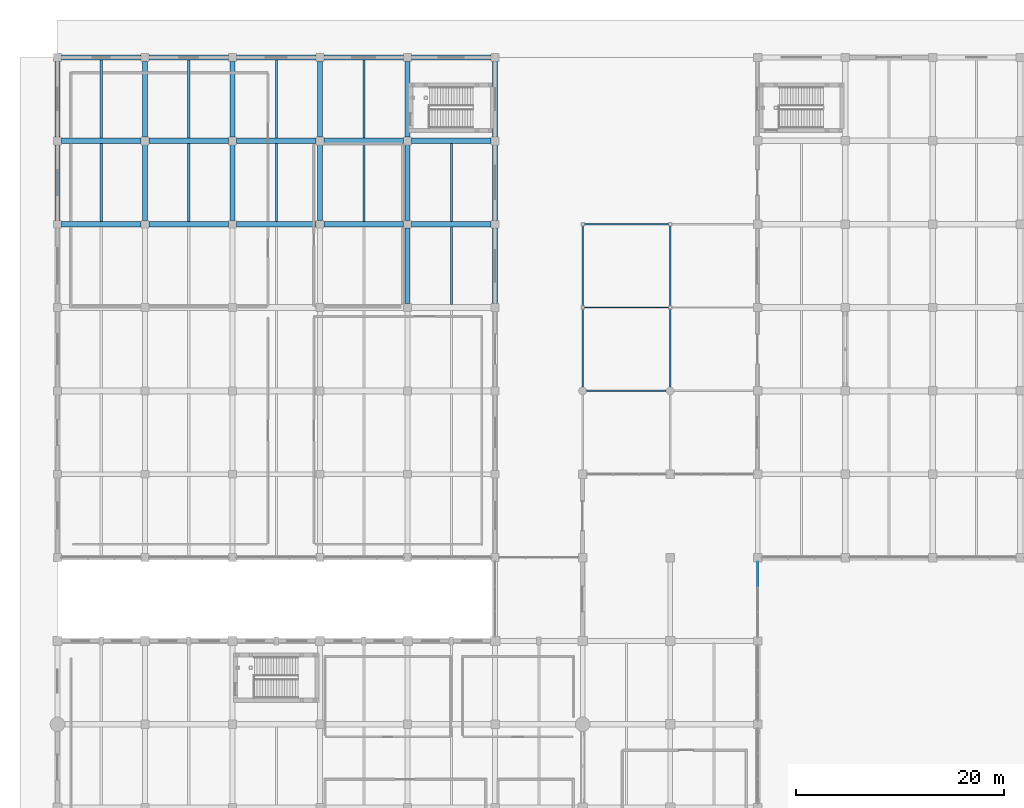
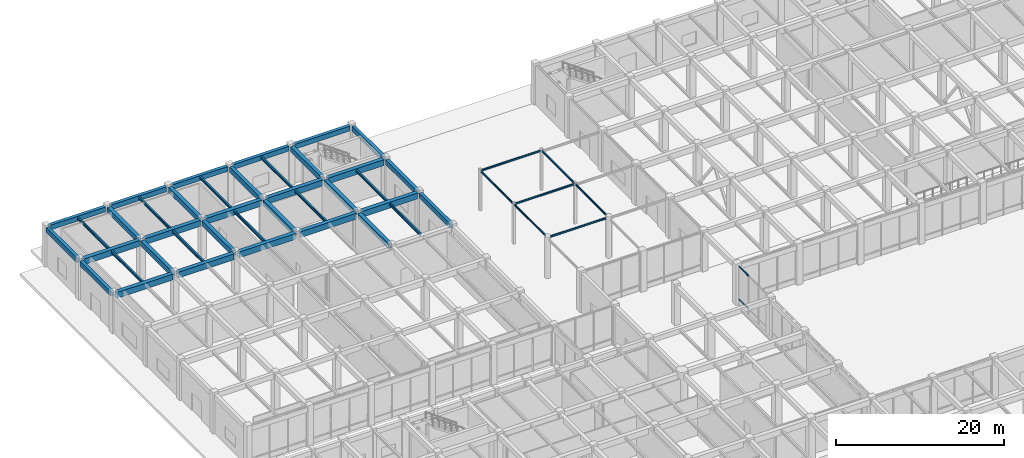
# One storey, part 31 of 76: 46 beams, 2 members, 1 element without a shape of its own.
"""IFC4 building model written with IfcOpenShell, lengths in metres."""

from ifc_helpers import new_model, si_unit, direction, frame, origin, origin_2d, place, context, subcontext, project, spatial, rectangle, i_section, extrude, material, layer, layer_set, material_profile, profile_set, type_object, element, aggregate, save


model = new_model("IFC4")

# Units and contexts
model_context = context("Model", 3, precision=1e-05, world=origin(), true_north=direction((0.0, 1.0)))
body_context = subcontext(model_context, "Body", "Model", "MODEL_VIEW")
ifc_project = project(units=[si_unit("LENGTHUNIT", "METRE"), si_unit("AREAUNIT", "SQUARE_METRE"), si_unit("VOLUMEUNIT", "CUBIC_METRE"), si_unit("PLANEANGLEUNIT", "RADIAN"), si_unit("MASSUNIT", "GRAM", prefix="KILO")], contexts=[model_context])

# Site, building, storey
site_placement = place(None, origin())
site = spatial("IfcSite", under=ifc_project, at=site_placement, CompositionType="ELEMENT")
building_placement = place(site_placement, origin())
building = spatial("IfcBuilding", under=site, at=building_placement, Name="Naruveol Harbour Congress Hotel", CompositionType="ELEMENT")
storey_placement = place(building_placement, origin())
storey = spatial("IfcBuildingStorey", under=building, at=storey_placement, Name="L00", CompositionType="ELEMENT", Elevation=0.0)

# Beams
ifc_material_1 = material(Name="Concrete C40/50", Category="concrete")
ifc_material_profile_1 = material_profile(ifc_material_1, rectangle(XDim=0.5, YDim=0.75, at=origin_2d()), Name="RCB-500x750")
ifc_profile_set_1 = profile_set([ifc_material_profile_1], Name="Concrete C40/50")
beam_type_1 = type_object("IfcBeamType", Name="RC FLOOR GIRDER 500X750", PredefinedType="BEAM", material=ifc_profile_set_1)
for number, where, z_axis, x_axis, name in (
    (1, (8.39990234375, 96.37109375, 5.324951171875), (0.0, 1.0, 0.0), (-1.0, 0.0, 0.0), "Transverse girder L01 CB3"),
    (2, (8.39990234375, 104.37109375, 5.324951171875), (0.0, 1.0, 0.0), (-1.0, 0.0, 0.0), "Transverse girder L01 CB3"),
    (3, (16.800048828125, 96.37109375, 5.324951171875), (0.0, 1.0, 0.0), (-1.0, 0.0, 0.0), "Transverse girder L01 CB3"),
    (4, (16.800048828125, 104.37109375, 5.324951171875), (0.0, 1.0, 0.0), (-1.0, 0.0, 0.0), "Transverse girder L01 CB3"),
    (5, (25.199951171875, 96.37109375, 5.324951171875), (0.0, 1.0, 0.0), (-1.0, 0.0, 0.0), "Transverse girder L01 CB3"),
    (6, (25.199951171875, 104.37109375, 5.324951171875), (0.0, 1.0, 0.0), (-1.0, 0.0, 0.0), "Transverse girder L01 CB3"),
    (7, (33.60009765625, 88.37109375, 5.324951171875), (0.0, 1.0, 0.0), (-1.0, 0.0, 0.0), "Transverse girder L01 CB3"),
    (8, (33.60009765625, 96.37109375, 5.324951171875), (0.0, 1.0, 0.0), (-1.0, 0.0, 0.0), "Transverse girder L01 CB3"),
    (9, (33.60009765625, 104.37109375, 5.324951171875), (0.0, 1.0, 0.0), (-1.0, 0.0, 0.0), "Transverse girder L01 CB3"),
):
    element("IfcBeam", number, at=place(storey_placement, frame(where, z_axis=z_axis, x_axis=x_axis)), inside=storey, type_object=beam_type_1, Name=name, PredefinedType="BEAM", context=body_context, shape_type="SweptSolid", body=[
        extrude(rectangle(XDim=0.5, YDim=0.75, at=origin_2d()), origin(), (0.0, 0.0, 1.0), 7.2578125),
    ])
ifc_material_2 = material(Name="Concrete C40/50", Category="concrete")
ifc_material_profile_2 = material_profile(ifc_material_2, rectangle(XDim=0.550048828125, YDim=0.85009765625, at=origin_2d()), Name="RCB-550x850")
ifc_profile_set_2 = profile_set([ifc_material_profile_2], Name="Concrete C40/50")
beam_type_2 = type_object("IfcBeamType", Name="RC PRIMARY GIRDER 550X850", PredefinedType="BEAM", material=ifc_profile_set_2)
for number, where, z_axis, x_axis, name in (
    (10, (0.37109375, 96.0, 5.27490234375), (1.0, 0.0, 0.0), (0.0, 1.0, 0.0), "Floor girder L01 CB2"),
    (11, (8.77099609375, 96.0, 5.27490234375), (1.0, 0.0, 0.0), (0.0, 1.0, 0.0), "Floor girder L01 CB2"),
):
    element("IfcBeam", number, at=place(storey_placement, frame(where, z_axis=z_axis, x_axis=x_axis)), inside=storey, type_object=beam_type_2, Name=name, PredefinedType="BEAM", context=body_context, shape_type="SweptSolid", body=[
        extrude(rectangle(XDim=0.550048828125, YDim=0.85009765625, at=origin_2d()), origin(), (0.0, 0.0, 1.0), 7.657958984375),
    ])
beam_1_placement = place(storey_placement, frame((17.1708984375, 96.0, 5.27490234375), z_axis=(1.0, 0.0, 0.0), x_axis=(0.0, 1.0, 0.0)))
element("IfcBeam", 12, at=beam_1_placement, inside=storey, type_object=beam_type_2, Name="Floor girder L01 CB2", PredefinedType="BEAM", context=body_context, shape_type="SweptSolid", body=[
    extrude(rectangle(XDim=0.550048828125, YDim=0.85009765625, at=origin_2d()), origin(), (0.0, 0.0, 1.0), 7.658203125),
])
for number, where, z_axis, x_axis, name in (
    (13, (25.571044921875, 96.0, 5.27490234375), (1.0, 0.0, 0.0), (0.0, 1.0, 0.0), "Floor girder L01 CB2"),
    (14, (33.970947265625, 96.0, 5.27490234375), (1.0, 0.0, 0.0), (0.0, 1.0, 0.0), "Floor girder L01 CB2"),
    (15, (0.37109375, 104.0, 5.27490234375), (1.0, 0.0, 0.0), (0.0, 1.0, 0.0), "Floor girder L01 CB2"),
    (16, (8.77099609375, 104.0, 5.27490234375), (1.0, 0.0, 0.0), (0.0, 1.0, 0.0), "Floor girder L01 CB2"),
):
    element("IfcBeam", number, at=place(storey_placement, frame(where, z_axis=z_axis, x_axis=x_axis)), inside=storey, type_object=beam_type_2, Name=name, PredefinedType="BEAM", context=body_context, shape_type="SweptSolid", body=[
        extrude(rectangle(XDim=0.550048828125, YDim=0.85009765625, at=origin_2d()), origin(), (0.0, 0.0, 1.0), 7.657958984375),
    ])
beam_2_placement = place(storey_placement, frame((17.1708984375, 104.0, 5.27490234375), z_axis=(1.0, 0.0, 0.0), x_axis=(0.0, 1.0, 0.0)))
element("IfcBeam", 17, at=beam_2_placement, inside=storey, type_object=beam_type_2, Name="Floor girder L01 CB2", PredefinedType="BEAM", context=body_context, shape_type="SweptSolid", body=[
    extrude(rectangle(XDim=0.550048828125, YDim=0.85009765625, at=origin_2d()), origin(), (0.0, 0.0, 1.0), 7.658203125),
])
for number, where, z_axis, x_axis, name in (
    (18, (25.571044921875, 104.0, 5.27490234375), (1.0, 0.0, 0.0), (0.0, 1.0, 0.0), "Floor girder L01 CB2"),
    (19, (33.970947265625, 104.0, 5.27490234375), (1.0, 0.0, 0.0), (0.0, 1.0, 0.0), "Floor girder L01 CB2"),
):
    element("IfcBeam", number, at=place(storey_placement, frame(where, z_axis=z_axis, x_axis=x_axis)), inside=storey, type_object=beam_type_2, Name=name, PredefinedType="BEAM", context=body_context, shape_type="SweptSolid", body=[
        extrude(rectangle(XDim=0.550048828125, YDim=0.85009765625, at=origin_2d()), origin(), (0.0, 0.0, 1.0), 7.657958984375),
    ])
ifc_material_3 = material(Name="Concrete C40/50", Category="concrete")
ifc_material_profile_3 = material_profile(ifc_material_3, rectangle(XDim=0.449951171875, YDim=0.699951171875, at=origin_2d()), Name="RCB-450x700")
ifc_profile_set_3 = profile_set([ifc_material_profile_3], Name="Concrete C40/50")
beam_type_3 = type_object("IfcBeamType", Name="RC SPANDREL BEAM 450X700", PredefinedType="SPANDREL", material=ifc_profile_set_3)
for number, where, z_axis, x_axis, name in (
    (20, (0.37109375, 112.0, 5.35009765625), (1.0, 0.0, 0.0), (0.0, 1.0, 0.0), "Floor girder L01 SPB1"),
    (21, (8.77099609375, 112.0, 5.35009765625), (1.0, 0.0, 0.0), (0.0, 1.0, 0.0), "Floor girder L01 SPB1"),
):
    element("IfcBeam", number, at=place(storey_placement, frame(where, z_axis=z_axis, x_axis=x_axis)), inside=storey, type_object=beam_type_3, Name=name, PredefinedType="SPANDREL", context=body_context, shape_type="SweptSolid", body=[
        extrude(rectangle(XDim=0.449951171875, YDim=0.699951171875, at=origin_2d()), origin(), (0.0, 0.0, 1.0), 7.657958984375),
    ])
beam_3_placement = place(storey_placement, frame((17.1708984375, 112.0, 5.35009765625), z_axis=(1.0, 0.0, 0.0), x_axis=(0.0, 1.0, 0.0)))
element("IfcBeam", 22, at=beam_3_placement, inside=storey, type_object=beam_type_3, Name="Floor girder L01 SPB1", PredefinedType="SPANDREL", context=body_context, shape_type="SweptSolid", body=[
    extrude(rectangle(XDim=0.449951171875, YDim=0.699951171875, at=origin_2d()), origin(), (0.0, 0.0, 1.0), 7.658203125),
])
for number, where, z_axis, x_axis, name in (
    (23, (25.571044921875, 112.0, 5.35009765625), (1.0, 0.0, 0.0), (0.0, 1.0, 0.0), "Floor girder L01 SPB1"),
    (24, (33.970947265625, 112.0, 5.35009765625), (1.0, 0.0, 0.0), (0.0, 1.0, 0.0), "Floor girder L01 SPB1"),
):
    element("IfcBeam", number, at=place(storey_placement, frame(where, z_axis=z_axis, x_axis=x_axis)), inside=storey, type_object=beam_type_3, Name=name, PredefinedType="SPANDREL", context=body_context, shape_type="SweptSolid", body=[
        extrude(rectangle(XDim=0.449951171875, YDim=0.699951171875, at=origin_2d()), origin(), (0.0, 0.0, 1.0), 7.657958984375),
    ])
for number, where, z_axis, x_axis, name in (
    (25, (0.0, 96.37109375, 5.35009765625), (0.0, 1.0, 0.0), (-1.0, 0.0, 0.0), "Transverse girder L01 SPB1"),
    (26, (0.0, 104.37109375, 5.35009765625), (0.0, 1.0, 0.0), (-1.0, 0.0, 0.0), "Transverse girder L01 SPB1"),
    (27, (42.0, 88.37109375, 5.35009765625), (0.0, 1.0, 0.0), (-1.0, 0.0, 0.0), "Transverse girder L01 SPB1"),
    (28, (42.0, 96.37109375, 5.35009765625), (0.0, 1.0, 0.0), (-1.0, 0.0, 0.0), "Transverse girder L01 SPB1"),
    (29, (42.0, 104.37109375, 5.35009765625), (0.0, 1.0, 0.0), (-1.0, 0.0, 0.0), "Transverse girder L01 SPB1"),
):
    element("IfcBeam", number, at=place(storey_placement, frame(where, z_axis=z_axis, x_axis=x_axis)), inside=storey, type_object=beam_type_3, Name=name, PredefinedType="SPANDREL", context=body_context, shape_type="SweptSolid", body=[
        extrude(rectangle(XDim=0.449951171875, YDim=0.699951171875, at=origin_2d()), origin(), (0.0, 0.0, 1.0), 7.2578125),
    ])
ifc_material_4 = material(Name="Steel SN490", Category="steel")
ifc_material_profile_4 = material_profile(ifc_material_4, i_section(OverallWidth=0.125, OverallDepth=0.25, WebThickness=0.006103515625, FlangeThickness=0.009033203125, at=origin_2d()), Name="H-250x125x6x9")
ifc_profile_set_4 = profile_set([ifc_material_profile_4], Name="Steel SN490")
beam_type_4 = type_object("IfcBeamType", Name="STEEL CANOPY EDGE BEAM H250", PredefinedType="BEAM", material=ifc_profile_set_4)
beam_4_placement = place(storey_placement, frame((50.77099609375, 80.0, 5.715087890625), z_axis=(1.0, 0.0, 0.0), x_axis=(0.0, 1.0, 0.0)))
element("IfcBeam", 30, at=beam_4_placement, inside=storey, type_object=beam_type_4, Name="Floor girder L01 SB3", PredefinedType="BEAM", context=body_context, shape_type="SweptSolid", body=[
    extrude(i_section(OverallWidth=0.125, OverallDepth=0.25, WebThickness=0.006103515625, FlangeThickness=0.009033203125, at=origin_2d()), origin(), (0.0, 0.0, 1.0), 7.657958984375),
])
for number, where, z_axis, x_axis, name in (
    (31, (50.5458984375, 88.0, 5.715087890625), (1.0, 0.0, 0.0), (0.0, 1.0, 0.0), "Floor girder L01 SB3"),
    (32, (50.5458984375, 96.0, 5.715087890625), (1.0, 0.0, 0.0), (0.0, 1.0, 0.0), "Floor girder L01 SB3"),
):
    element("IfcBeam", number, at=place(storey_placement, frame(where, z_axis=z_axis, x_axis=x_axis)), inside=storey, type_object=beam_type_4, Name=name, PredefinedType="BEAM", context=body_context, shape_type="SweptSolid", body=[
        extrude(i_section(OverallWidth=0.125, OverallDepth=0.25, WebThickness=0.006103515625, FlangeThickness=0.009033203125, at=origin_2d()), origin(), (0.0, 0.0, 1.0), 8.108154296875),
    ])
beam_5_placement = place(storey_placement, frame((50.39990234375, 80.37109375, 5.715087890625), z_axis=(0.0, 1.0, 0.0), x_axis=(-1.0, 0.0, 0.0)))
element("IfcBeam", 33, at=beam_5_placement, inside=storey, type_object=beam_type_4, Name="Transverse girder L01 SB3", PredefinedType="BEAM", context=body_context, shape_type="SweptSolid", body=[
    extrude(i_section(OverallWidth=0.125, OverallDepth=0.25, WebThickness=0.006103515625, FlangeThickness=0.009033203125, at=origin_2d()), origin(), (0.0, 0.0, 1.0), 7.48291015625),
])
beam_6_placement = place(storey_placement, frame((50.39990234375, 88.14599609375, 5.715087890625), z_axis=(0.0, 1.0, 0.0), x_axis=(-1.0, 0.0, 0.0)))
element("IfcBeam", 34, at=beam_6_placement, inside=storey, type_object=beam_type_4, Name="Transverse girder L01 SB3", PredefinedType="BEAM", context=body_context, shape_type="SweptSolid", body=[
    extrude(i_section(OverallWidth=0.125, OverallDepth=0.25, WebThickness=0.006103515625, FlangeThickness=0.009033203125, at=origin_2d()), origin(), (0.0, 0.0, 1.0), 7.7080078125),
])
beam_7_placement = place(storey_placement, frame((58.800048828125, 80.37109375, 5.715087890625), z_axis=(0.0, 1.0, 0.0), x_axis=(-1.0, 0.0, 0.0)))
element("IfcBeam", 35, at=beam_7_placement, inside=storey, type_object=beam_type_4, Name="Transverse girder L01 SB3", PredefinedType="BEAM", context=body_context, shape_type="SweptSolid", body=[
    extrude(i_section(OverallWidth=0.125, OverallDepth=0.25, WebThickness=0.006103515625, FlangeThickness=0.009033203125, at=origin_2d()), origin(), (0.0, 0.0, 1.0), 7.48291015625),
])
beam_8_placement = place(storey_placement, frame((58.800048828125, 88.14599609375, 5.715087890625), z_axis=(0.0, 1.0, 0.0), x_axis=(-1.0, 0.0, 0.0)))
element("IfcBeam", 36, at=beam_8_placement, inside=storey, type_object=beam_type_4, Name="Transverse girder L01 SB3", PredefinedType="BEAM", context=body_context, shape_type="SweptSolid", body=[
    extrude(i_section(OverallWidth=0.125, OverallDepth=0.25, WebThickness=0.006103515625, FlangeThickness=0.009033203125, at=origin_2d()), origin(), (0.0, 0.0, 1.0), 7.7080078125),
])
ifc_material_5 = material(Name="Steel SN490", Category="steel")
ifc_material_profile_5 = material_profile(ifc_material_5, i_section(OverallWidth=0.199951171875, OverallDepth=0.39990234375, WebThickness=0.008056640625, FlangeThickness=0.012939453125, at=origin_2d()), Name="H-400x200x8x13")
ifc_profile_set_5 = profile_set([ifc_material_profile_5], Name="Steel SN490")
beam_type_5 = type_object("IfcBeamType", Name="STEEL SECONDARY JOIST H400", PredefinedType="JOIST", material=ifc_profile_set_5)
for number, where, z_axis, x_axis, name in (
    (37, (37.800048828125, 88.27099609375, 5.5), (0.0, 1.0, 0.0), (-1.0, 0.0, 0.0), "Secondary floor joist L01 SJ1"),
    (38, (4.199951171875, 96.27099609375, 5.5), (0.0, 1.0, 0.0), (-1.0, 0.0, 0.0), "Secondary floor joist L01 SJ1"),
    (39, (12.60009765625, 96.27099609375, 5.5), (0.0, 1.0, 0.0), (-1.0, 0.0, 0.0), "Secondary floor joist L01 SJ1"),
    (40, (21.0, 96.27099609375, 5.5), (0.0, 1.0, 0.0), (-1.0, 0.0, 0.0), "Secondary floor joist L01 SJ1"),
    (41, (29.39990234375, 96.27099609375, 5.5), (0.0, 1.0, 0.0), (-1.0, 0.0, 0.0), "Secondary floor joist L01 SJ1"),
    (42, (37.800048828125, 96.27099609375, 5.5), (0.0, 1.0, 0.0), (-1.0, 0.0, 0.0), "Secondary floor joist L01 SJ1"),
):
    element("IfcBeam", number, at=place(storey_placement, frame(where, z_axis=z_axis, x_axis=x_axis)), inside=storey, type_object=beam_type_5, Name=name, PredefinedType="JOIST", context=body_context, shape_type="SweptSolid", body=[
        extrude(i_section(OverallWidth=0.199951171875, OverallDepth=0.39990234375, WebThickness=0.008056640625, FlangeThickness=0.012939453125, at=origin_2d()), origin(), (0.0, 0.0, 1.0), 7.4580078125),
    ])
for number, where, z_axis, x_axis, name in (
    (43, (4.199951171875, 104.27099609375, 5.5), (0.0, 1.0, 0.0), (-1.0, 0.0, 0.0), "Secondary floor joist L01 SJ1"),
    (44, (12.60009765625, 104.27099609375, 5.5), (0.0, 1.0, 0.0), (-1.0, 0.0, 0.0), "Secondary floor joist L01 SJ1"),
    (45, (21.0, 104.27099609375, 5.5), (0.0, 1.0, 0.0), (-1.0, 0.0, 0.0), "Secondary floor joist L01 SJ1"),
    (46, (29.39990234375, 104.27099609375, 5.5), (0.0, 1.0, 0.0), (-1.0, 0.0, 0.0), "Secondary floor joist L01 SJ1"),
):
    element("IfcBeam", number, at=place(storey_placement, frame(where, z_axis=z_axis, x_axis=x_axis)), inside=storey, type_object=beam_type_5, Name=name, PredefinedType="JOIST", context=body_context, shape_type="SweptSolid", body=[
        extrude(i_section(OverallWidth=0.199951171875, OverallDepth=0.39990234375, WebThickness=0.008056640625, FlangeThickness=0.012939453125, at=origin_2d()), origin(), (0.0, 0.0, 1.0), 7.508056640625),
    ])

# Curtain wall, members
ifc_material_6 = material(Name="Low-E Curtain Wall System", Category="glass")
ifc_layer = layer(ifc_material_6, 0.179931640625)
ifc_layer_set = layer_set([ifc_layer], Name="Low-E Curtain Wall System")
curtain_wall_type = type_object("IfcCurtainWallType", Name="UNITISED CURTAIN WALL CW-CTW-28 7200X5700", PredefinedType="USERDEFINED", material=ifc_layer_set)
curtain_wall_placement = place(storey_placement, origin())
curtain_wall = element("IfcCurtainWall", 47, at=curtain_wall_placement, inside=storey, type_object=curtain_wall_type, Name="Unitised curtain wall CW-CTW-28 L00", ObjectType="UNITISED GLAZING", PredefinedType="USERDEFINED")
ifc_material_7 = material(Name="Anodised Aluminium 6063-T6", Category="aluminium")
ifc_material_profile_6 = material_profile(ifc_material_7, rectangle(XDim=0.074951171875, YDim=0.14990234375, at=origin_2d()), Name="ALU-75x150")
ifc_profile_set_6 = profile_set([ifc_material_profile_6], Name="Anodised Aluminium 6063-T6")
member_type = type_object("IfcMemberType", Name="THERMAL ALUMINIUM TRANSOM 75X150", PredefinedType="USERDEFINED", material=ifc_profile_set_6)
member_1_placement = place(storey_placement, frame((67.199951171875, 61.239990234375, 0.85009765625), z_axis=(0.0, 1.0, 0.0), x_axis=(-1.0, 0.0, 0.0)))
member_1 = element("IfcMember", 48, at=member_1_placement, type_object=member_type, Name="Curtain wall transom CW-L00-0069-T2.1", ObjectType="TRANSOM", PredefinedType="USERDEFINED", context=body_context, shape_type="SweptSolid", body=[
    extrude(rectangle(XDim=0.074951171875, YDim=0.14990234375, at=origin_2d()), origin(), (0.0, 0.0, 1.0), 2.320068359375),
])
member_2_placement = place(storey_placement, frame((67.199951171875, 61.239990234375, 5.6201171875), z_axis=(0.0, 1.0, 0.0), x_axis=(-1.0, 0.0, 0.0)))
member_2 = element("IfcMember", 49, at=member_2_placement, type_object=member_type, Name="Curtain wall transom CW-L00-0069-T2.2", ObjectType="TRANSOM", PredefinedType="USERDEFINED", context=body_context, shape_type="SweptSolid", body=[
    extrude(rectangle(XDim=0.074951171875, YDim=0.14990234375, at=origin_2d()), origin(), (0.0, 0.0, 1.0), 2.320068359375),
])
aggregate(curtain_wall, [member_1, member_2])

save(model, "model.ifc")
